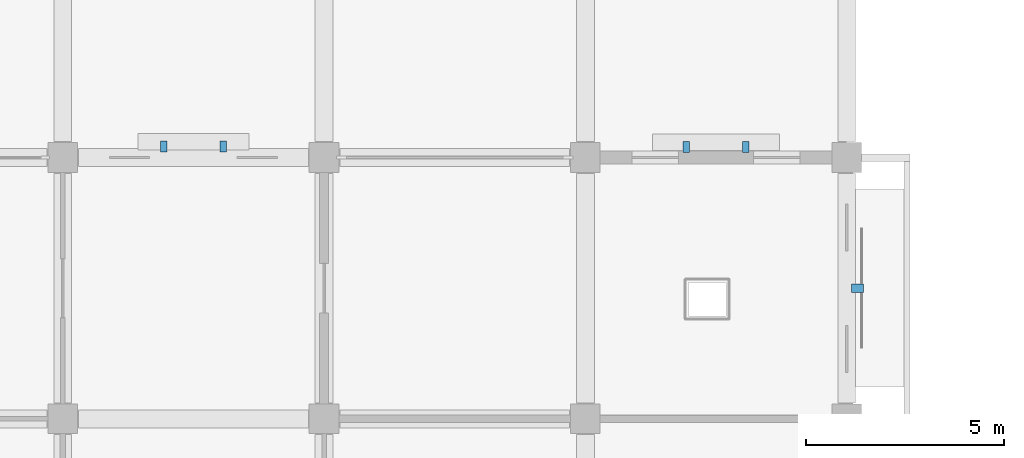
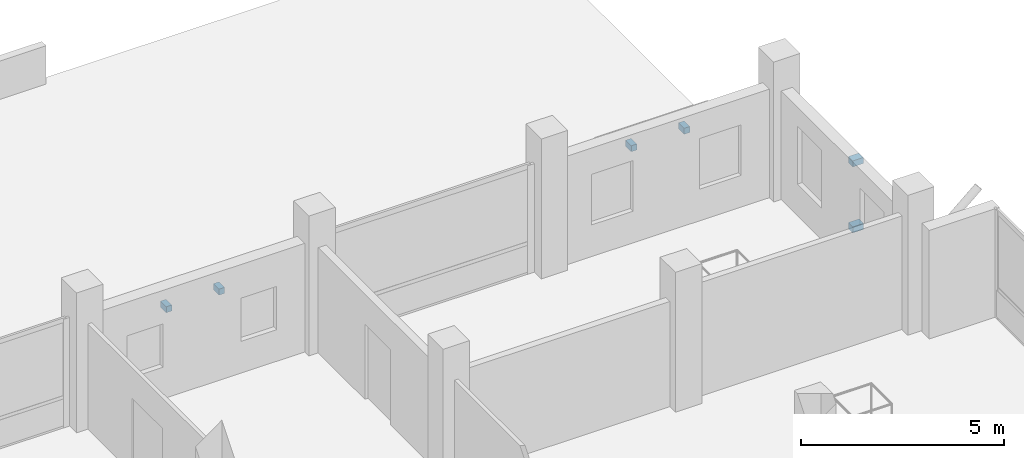
# One storey, part 21 of 23: 6 discrete accessories.
"""IFC4 building model written with IfcOpenShell, lengths in metres."""

from ifc_helpers import new_model, si_unit, direction, frame, origin, origin_2d, place, context, subcontext, project, spatial, rectangle, extrude, material, type_object, element, save


model = new_model("IFC4")

# Units and contexts
model_context = context("Model", 3, precision=1e-05, world=origin(), true_north=direction((0.0, 1.0)))
body_context = subcontext(model_context, "Body", "Model", "MODEL_VIEW")
ifc_project = project(units=[si_unit("LENGTHUNIT", "METRE"), si_unit("AREAUNIT", "SQUARE_METRE"), si_unit("VOLUMEUNIT", "CUBIC_METRE"), si_unit("PLANEANGLEUNIT", "RADIAN"), si_unit("MASSUNIT", "GRAM", prefix="KILO")], contexts=[model_context])

# Site, building, storey
site_placement = place(None, origin())
site = spatial("IfcSite", under=ifc_project, at=site_placement, CompositionType="ELEMENT")
building_placement = place(site_placement, origin())
building = spatial("IfcBuilding", under=site, at=building_placement, Name="Rusizi Kubbe Research Institute", CompositionType="ELEMENT")
storey_placement = place(building_placement, frame((0.0, 0.0, 18.60009765625)))
storey = spatial("IfcBuildingStorey", under=building, at=storey_placement, Name="L04", CompositionType="ELEMENT", Elevation=18.60009765625)

# Discrete accessories
ifc_material_1 = material(Name="Steel S355", Category="steel")
discrete_accessory_type_1 = type_object("IfcDiscreteAccessoryType", Name="BK-01", PredefinedType="BRACKET", material=ifc_material_1)
for number, where, z_axis, x_axis, name in (
    (1, (26.672607421875, 82.5, 0.73974609375), (0.0, 0.0, 1.0), (1.0, 0.0, 0.0), "Solar Screen Bracket 46-1"),
    (2, (26.672607421875, 82.5, 2.7197265625), (0.0, 0.0, 1.0), (1.0, 0.0, 0.0), "Solar Screen Bracket 46-2"),
):
    element("IfcDiscreteAccessory", number, at=place(storey_placement, frame(where, z_axis=z_axis, x_axis=x_axis)), inside=storey, type_object=discrete_accessory_type_1, Name=name, PredefinedType="BRACKET", context=body_context, shape_type="SweptSolid", body=[
        extrude(rectangle(XDim=0.300048828125, YDim=0.219970703125, at=origin_2d()), origin(), (0.0, 0.0, 1.0), 0.179931640625),
    ])
ifc_material_2 = material(Name="Steel S355", Category="steel")
discrete_accessory_type_2 = type_object("IfcDiscreteAccessoryType", Name="BK-02", PredefinedType="BRACKET", material=ifc_material_2)
for number, where, z_axis, x_axis, name in (
    (3, (9.14990234375, 86.077392578125, 2.2998046875), (0.0, 0.0, 1.0), (1.0, 0.0, 0.0), "Louver Canopy Bracket 29-1"),
    (4, (10.64990234375, 86.077392578125, 2.2998046875), (0.0, 0.0, 1.0), (1.0, 0.0, 0.0), "Louver Canopy Bracket 29-2"),
    (5, (22.35009765625, 86.0625, 2.52001953125), (0.0, 0.0, 1.0), (1.0, 0.0, 0.0), "Louver Canopy Bracket 30-1"),
    (6, (23.85009765625, 86.0625, 2.52001953125), (0.0, 0.0, 1.0), (1.0, 0.0, 0.0), "Louver Canopy Bracket 30-2"),
):
    element("IfcDiscreteAccessory", number, at=place(storey_placement, frame(where, z_axis=z_axis, x_axis=x_axis)), inside=storey, type_object=discrete_accessory_type_2, Name=name, PredefinedType="BRACKET", context=body_context, shape_type="SweptSolid", body=[
        extrude(rectangle(XDim=0.159912109375, YDim=0.280029296875, at=origin_2d()), origin(), (0.0, 0.0, 1.0), 0.179931640625),
    ])

save(model, "model.ifc")
